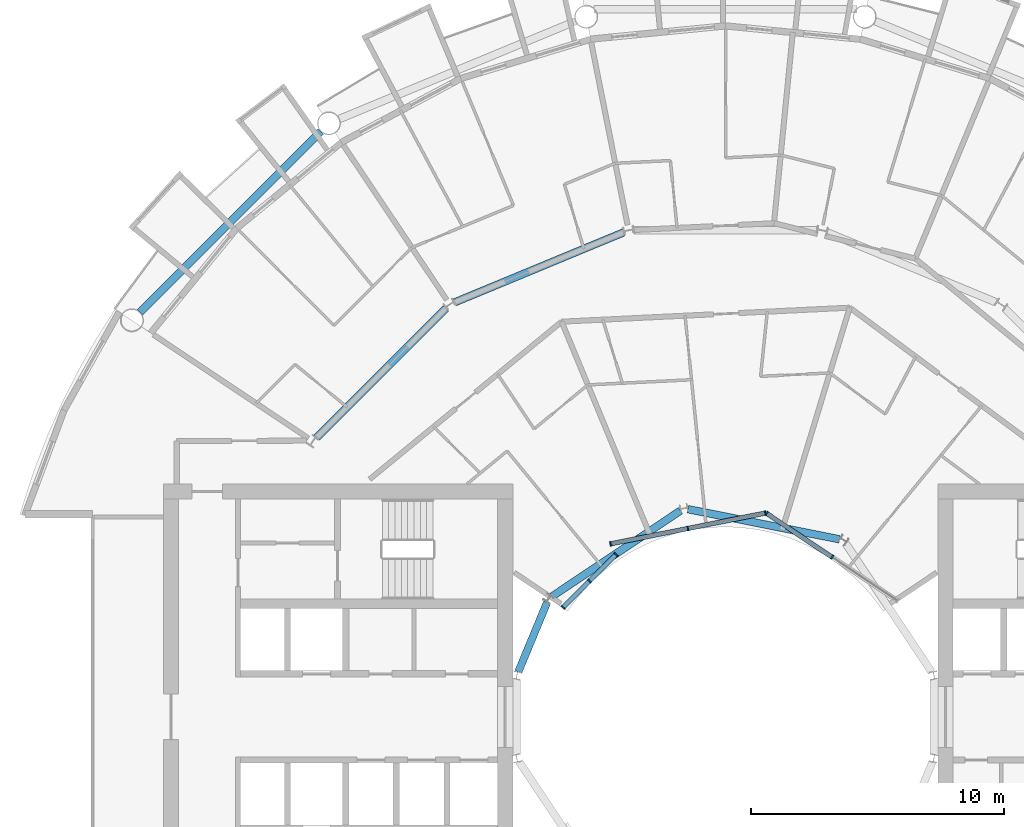
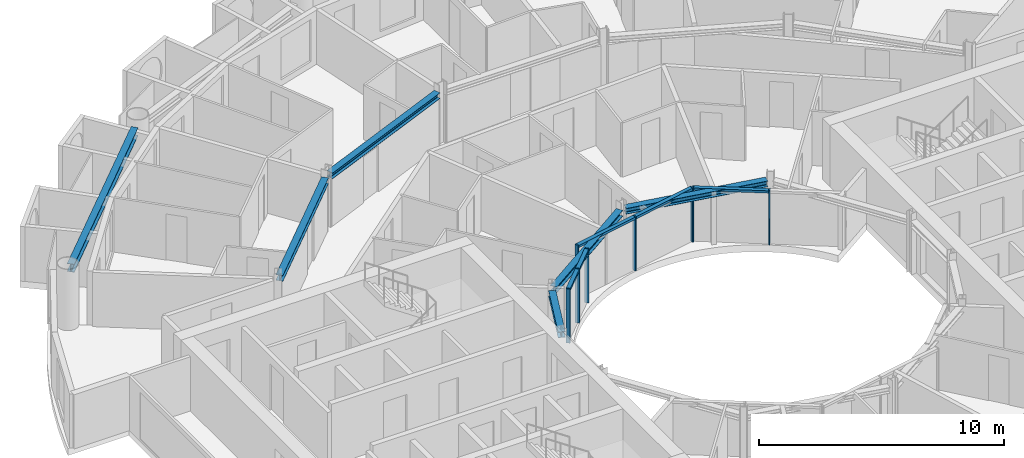
# One storey, part 8 of 27: 13 members, 6 beams, 3 elements without a shape of their own.
"""IFC4 building model written with IfcOpenShell, lengths in metres."""

import ifcopenshell
import ifcopenshell.guid

model = None  # the IFC model being written
_history = None  # IfcOwnerHistory: only IFC2X3 demands one
_inside = {}  # id of a spatial element -> (the spatial element, [elements in it])
_under = {}  # id of a project, library or spatial element -> (it, [spatial elements below it])
_declared = {}  # id of a project -> (the project, [libraries it declares])
_typed = {}  # id of a type object -> (the type object, [elements of that type])
_made_of = {}  # id of a material, layer set ... -> (it, [elements and type objects made of it])


def new_model(schema):
    """Start an empty IFC model of exactly this schema.

    Asked for "IFC4X3", IfcOpenShell would pick the latest addendum, in which some entities
    have other attributes; the version numbers below select the first issue.
    IFC2X3 requires an IfcOwnerHistory on every rooted entity: one is made here for all.
    """
    global model, _history
    if schema == "IFC4X3":
        model = ifcopenshell.file(schema_version=(4, 3, 0, 0))
    else:
        model = ifcopenshell.file(schema=schema)
    _inside.clear()
    _under.clear()
    _declared.clear()
    _typed.clear()
    _made_of.clear()
    _history = None
    if model.schema == "IFC2X3":
        org = make("IfcOrganization", Name="unknown")
        user = make(
            "IfcPersonAndOrganization",
            ThePerson=make("IfcPerson", FamilyName="unknown"),
            TheOrganization=org,
        )
        app = make(
            "IfcApplication",
            ApplicationDeveloper=org,
            Version="unknown",
            ApplicationFullName="unknown",
            ApplicationIdentifier="unknown",
        )
        _history = make(
            "IfcOwnerHistory",
            OwningUser=user,
            OwningApplication=app,
            ChangeAction="ADDED",
            CreationDate=0,
        )
    return model


def make(cls, **values):
    """One entity of the class cls with the attributes given. An attribute that is None is left unset."""
    return model.create_entity(
        cls, **{name: value for name, value in values.items() if value is not None}
    )


def rooted(cls, **values):
    """An entity with a GlobalId (a new one), such as an element, a storey or a relation."""
    return make(cls, GlobalId=ifcopenshell.guid.new(), OwnerHistory=_history, **values)


def si_unit(unit_type, name, prefix=None):
    """IfcSIUnit, for example si_unit("LENGTHUNIT", "METRE", prefix="MILLI")."""
    return make("IfcSIUnit", UnitType=unit_type, Prefix=prefix, Name=name)


def assignment(units):
    """IfcUnitAssignment: the units of a project."""
    return None if units is None else make("IfcUnitAssignment", Units=units)


def point(xyz):
    """IfcCartesianPoint."""
    return None if xyz is None else make("IfcCartesianPoint", Coordinates=xyz)


def direction(xyz):
    """IfcDirection."""
    return None if xyz is None else make("IfcDirection", DirectionRatios=xyz)


def frame(location, z_axis=None, x_axis=None):
    """IfcAxis2Placement3D, a coordinate frame: its origin and axes. An axis left out is left unset."""
    return make(
        "IfcAxis2Placement3D",
        Location=point(location),
        Axis=direction(z_axis),
        RefDirection=direction(x_axis),
    )


def frame_2d(location, x_axis=None):
    """IfcAxis2Placement2D, a coordinate frame in the plane: its origin and x axis."""
    return make(
        "IfcAxis2Placement2D", Location=point(location), RefDirection=direction(x_axis)
    )


def origin():
    """The frame at (0, 0, 0) with its axes left unset."""
    return frame((0.0, 0.0, 0.0))


def origin_2d():
    """The frame at (0, 0) in the plane with its x axis left unset."""
    return frame_2d((0.0, 0.0))


def place(relative_to, where):
    """IfcLocalPlacement: puts the frame where relative to a parent placement (None: the world)."""
    return make(
        "IfcLocalPlacement", PlacementRelTo=relative_to, RelativePlacement=where
    )


def context(
    kind, dimensions, precision=None, world=None, true_north=None, identifier=None
):
    """IfcGeometricRepresentationContext, for example the 3D "Model" context."""
    return make(
        "IfcGeometricRepresentationContext",
        ContextIdentifier=identifier,
        ContextType=kind,
        CoordinateSpaceDimension=dimensions,
        Precision=precision,
        WorldCoordinateSystem=world,
        TrueNorth=true_north,
    )


def subcontext(parent, identifier, kind, view, scale=None):
    """IfcGeometricRepresentationSubContext, for example "Body" below "Model"."""
    return make(
        "IfcGeometricRepresentationSubContext",
        ContextIdentifier=identifier,
        ContextType=kind,
        ParentContext=parent,
        TargetScale=scale,
        TargetView=view,
    )


def project(units=None, contexts=None):
    """IfcProject with its units and contexts."""
    return rooted(
        "IfcProject",
        Name="project",
        RepresentationContexts=contexts,
        UnitsInContext=assignment(units),
    )


def spatial(cls, under=None, at=None, **own):
    """A site, building, storey or space (cls), placed at a placement, below another one or the project."""
    s = rooted(cls, ObjectPlacement=at, **own)
    if under is not None:
        _under.setdefault(under.id(), (under, []))[1].append(s)
    return s


def profile(cls, at=None, kind="AREA", **sizes):
    """A parametric profile (cls). Its sizes go by their IFC names, for example OverallWidth=200.0."""
    return make(cls, ProfileType=kind, Position=at, **sizes)


def rectangle(**sizes):
    """IfcRectangleProfileDef."""
    return profile("IfcRectangleProfileDef", **sizes)


def i_section(**sizes):
    """IfcIShapeProfileDef."""
    return profile("IfcIShapeProfileDef", **sizes)


def extrude(swept, where, along, depth):
    """IfcExtrudedAreaSolid: the profile swept, set in the frame where, extruded along a direction by depth."""
    return make(
        "IfcExtrudedAreaSolid",
        SweptArea=swept,
        Position=where,
        ExtrudedDirection=direction(along),
        Depth=depth,
    )


def shape(context_of_items, identifier, shape_type, items):
    """IfcShapeRepresentation: the items that make up one representation, for example the "Body"."""
    return make(
        "IfcShapeRepresentation",
        ContextOfItems=context_of_items,
        RepresentationIdentifier=identifier,
        RepresentationType=shape_type,
        Items=items,
    )


def material(Name=None, Category=None):
    """IfcMaterial."""
    return make("IfcMaterial", Name=Name, Category=Category)


def layer(
    of_material, thickness, ventilated=None, Name=None, Category=None, Priority=None
):
    """IfcMaterialLayer: one layer of a wall or slab, of a material (None: an air gap)."""
    return make(
        "IfcMaterialLayer",
        Material=of_material,
        LayerThickness=thickness,
        IsVentilated=ventilated,
        Name=Name,
        Category=Category,
        Priority=Priority,
    )


def layer_set(layers, Name=None):
    """IfcMaterialLayerSet."""
    return make("IfcMaterialLayerSet", MaterialLayers=layers, LayerSetName=Name)


def material_profile(
    of_material, cross_section, Name=None, Category=None, Priority=None
):
    """IfcMaterialProfile: a cross section and its material."""
    return make(
        "IfcMaterialProfile",
        Name=Name,
        Material=of_material,
        Profile=cross_section,
        Priority=Priority,
        Category=Category,
    )


def profile_set(profiles, Name=None, composite=None):
    """IfcMaterialProfileSet."""
    return make(
        "IfcMaterialProfileSet",
        Name=Name,
        MaterialProfiles=profiles,
        CompositeProfile=composite,
    )


def made_of(thing, what):
    """Note that an element or type object is made of a material, layer set ...; save() writes the relation."""
    if what is not None:
        _made_of.setdefault(what.id(), (what, []))[1].append(thing)
    return thing


def type_object(cls, material=None, **own):
    """A type object (cls), such as IfcWallType, which elements share."""
    return made_of(rooted(cls, **own), material)


def element(
    cls,
    number,
    at=None,
    inside=None,
    cuts=None,
    type_object=None,
    material=None,
    context=None,
    identifier="Body",
    shape_type=None,
    held_by="IfcProductDefinitionShape",
    body=None,
    shapes=None,
    **own,
):
    """One element of the class cls, such as IfcWall. Its Tag is "e" and its number.

    at: its placement. inside: the storey or other place that contains it. cuts: it is an
    opening in that element (IfcRelVoidsElement). A single representation is given by context,
    identifier, shape_type and body (its items); several are given by shapes. held_by: the class
    of the entity that holds the representations. save() writes the other relations.
    """
    e = rooted(cls, Tag="e%d" % number, ObjectPlacement=at, **own)
    if body is not None:
        shapes = [shape(context, identifier, shape_type, body)]
    if shapes is not None:
        e.Representation = make(held_by, Representations=shapes)
    if inside is not None:
        _inside.setdefault(inside.id(), (inside, []))[1].append(e)
    if cuts is not None:
        rooted(
            "IfcRelVoidsElement", RelatingBuildingElement=cuts, RelatedOpeningElement=e
        )
    if type_object is not None:
        _typed.setdefault(type_object.id(), (type_object, []))[1].append(e)
    return made_of(e, material)


def aggregate(whole, parts):
    """IfcRelAggregates: a whole, such as a stair, and the parts it consists of."""
    return rooted("IfcRelAggregates", RelatingObject=whole, RelatedObjects=parts)


def save(model, path):
    """Write the relations noted so far, then the file.

    IfcRelAggregates (storeys below a building ...), IfcRelContainedInSpatialStructure (elements
    in a storey), IfcRelDefinesByType, IfcRelAssociatesMaterial and IfcRelDeclares: one each for
    every whole, place, type object, material and project.
    """
    for whole, parts in _under.values():
        aggregate(whole, parts)
    for where, things in _inside.values():
        rooted(
            "IfcRelContainedInSpatialStructure",
            RelatedElements=things,
            RelatingStructure=where,
        )
    for kind, things in _typed.values():
        rooted("IfcRelDefinesByType", RelatedObjects=things, RelatingType=kind)
    for what, things in _made_of.values():
        rooted("IfcRelAssociatesMaterial", RelatedObjects=things, RelatingMaterial=what)
    for by, libraries in _declared.values():
        rooted("IfcRelDeclares", RelatingContext=by, RelatedDefinitions=libraries)
    model.write(path)


model = new_model("IFC4")

# Units and contexts
model_context = context("Model", 3, precision=1e-05, world=origin(), true_north=direction((0.0, 1.0)))
body_context = subcontext(model_context, "Body", "Model", "MODEL_VIEW")
ifc_project = project(units=[si_unit("LENGTHUNIT", "METRE"), si_unit("AREAUNIT", "SQUARE_METRE"), si_unit("VOLUMEUNIT", "CUBIC_METRE"), si_unit("PLANEANGLEUNIT", "RADIAN"), si_unit("MASSUNIT", "GRAM", prefix="KILO")], contexts=[model_context])

# Site, building, storey
site_placement = place(None, origin())
site = spatial("IfcSite", under=ifc_project, at=site_placement, CompositionType="ELEMENT")
building_placement = place(site_placement, origin())
building = spatial("IfcBuilding", under=site, at=building_placement, Name="Maasbend Ring Residences", CompositionType="ELEMENT")
storey_placement = place(building_placement, frame((0.0, 0.0, 111.64990234375)))
storey = spatial("IfcBuildingStorey", under=building, at=storey_placement, Name="L31", CompositionType="ELEMENT", Elevation=111.64990234375)

# Curtain wall, members
ifc_material_1 = material(Name="Aluminium and clear glass", Category="aluminium")
ifc_layer = layer(ifc_material_1, 0.179931640625)
ifc_layer_set = layer_set([ifc_layer], Name="CW-W")
curtain_wall_type = type_object("IfcCurtainWallType", Name="CW-W", PredefinedType="NOTDEFINED", material=ifc_layer_set)
curtain_wall_1_placement = place(storey_placement, origin())
curtain_wall_1 = element("IfcCurtainWall", 1, at=curtain_wall_1_placement, inside=storey, type_object=curtain_wall_type, Name="Well curtain wall N1", PredefinedType="NOTDEFINED")
ifc_material_2 = material(Name="Aluminium 6063-T6", Category="aluminium")
ifc_material_profile_1 = material_profile(ifc_material_2, rectangle(XDim=0.179931640625, YDim=0.06005859375, at=origin_2d()), Name="AL 180x60")
ifc_profile_set_1 = profile_set([ifc_material_profile_1], Name="Aluminium 6063-T6")
member_type_1 = type_object("IfcMemberType", Name="CWM-W", PredefinedType="MULLION", material=ifc_profile_set_1)
member_1_placement = place(storey_placement, frame((4.216796875, 6.310791015625, 0.0), z_axis=(0.0, 0.0, 1.0), x_axis=(-0.55557023302, -0.831469612303, 0.0)))
member_1 = element("IfcMember", 2, at=member_1_placement, type_object=member_type_1, Name="Mullion well face", PredefinedType="MULLION", context=body_context, shape_type="SweptSolid", body=[
    extrude(rectangle(XDim=0.179931640625, YDim=0.06005859375, at=origin_2d()), origin(), (0.0, 0.0, 1.0), 2.7001953125),
])
member_2_placement = place(storey_placement, frame((1.627685546875, 8.040771484375, 0.0), z_axis=(0.0, 0.0, 1.0), x_axis=(-0.55557023302, -0.831469612303, 0.0)))
member_2 = element("IfcMember", 3, at=member_2_placement, type_object=member_type_1, Name="Mullion well face", PredefinedType="MULLION", context=body_context, shape_type="SweptSolid", body=[
    extrude(rectangle(XDim=0.179931640625, YDim=0.06005859375, at=origin_2d()), origin(), (0.0, 0.0, 1.0), 2.7001953125),
])

curtain_wall_2_placement = place(storey_placement, origin())
curtain_wall_2 = element("IfcCurtainWall", 4, at=curtain_wall_2_placement, inside=storey, type_object=curtain_wall_type, Name="Well curtain wall N2", PredefinedType="NOTDEFINED")
member_3_placement = place(storey_placement, frame((1.5732421875, 8.0517578125, 0.0), z_axis=(0.0, 0.0, 1.0), x_axis=(0.195090322016, -0.980785280403, 0.0)))
member_3 = element("IfcMember", 5, at=member_3_placement, type_object=member_type_1, Name="Mullion well face", PredefinedType="MULLION", context=body_context, shape_type="SweptSolid", body=[
    extrude(rectangle(XDim=0.179931640625, YDim=0.06005859375, at=origin_2d()), origin(), (0.0, 0.0, 1.0), 2.7001953125),
])
member_4_placement = place(storey_placement, frame((-1.480712890625, 7.444091796875, 0.0), z_axis=(0.0, 0.0, 1.0), x_axis=(0.195090322016, -0.980785280403, 0.0)))
member_4 = element("IfcMember", 6, at=member_4_placement, type_object=member_type_1, Name="Mullion well face", PredefinedType="MULLION", context=body_context, shape_type="SweptSolid", body=[
    extrude(rectangle(XDim=0.179931640625, YDim=0.06005859375, at=origin_2d()), origin(), (0.0, 0.0, 1.0), 2.7001953125),
])
member_5_placement = place(storey_placement, frame((-4.53466796875, 6.836669921875, 0.0), z_axis=(0.0, 0.0, 1.0), x_axis=(0.195090322016, -0.980785280403, 0.0)))
member_5 = element("IfcMember", 7, at=member_5_placement, type_object=member_type_1, Name="Mullion well face", PredefinedType="MULLION", context=body_context, shape_type="SweptSolid", body=[
    extrude(rectangle(XDim=0.179931640625, YDim=0.06005859375, at=origin_2d()), origin(), (0.0, 0.0, 1.0), 2.7001953125),
])

curtain_wall_3_placement = place(storey_placement, origin())
curtain_wall_3 = element("IfcCurtainWall", 8, at=curtain_wall_3_placement, inside=storey, type_object=curtain_wall_type, Name="Well curtain wall N3", PredefinedType="NOTDEFINED")
member_6_placement = place(storey_placement, frame((-4.320556640625, 6.413330078125, 0.0), z_axis=(0.0, 0.0, 1.0), x_axis=(0.707106781187, -0.707106781187, 0.0)))
member_6 = element("IfcMember", 9, at=member_6_placement, type_object=member_type_1, Name="Mullion well face", PredefinedType="MULLION", context=body_context, shape_type="SweptSolid", body=[
    extrude(rectangle(XDim=0.179931640625, YDim=0.06005859375, at=origin_2d()), origin(), (0.0, 0.0, 1.0), 2.7001953125),
])
member_7_placement = place(storey_placement, frame((-5.366943359375, 5.366943359375, 0.0), z_axis=(0.0, 0.0, 1.0), x_axis=(0.707106781187, -0.707106781187, 0.0)))
member_7 = element("IfcMember", 10, at=member_7_placement, type_object=member_type_1, Name="Mullion well face", PredefinedType="MULLION", context=body_context, shape_type="SweptSolid", body=[
    extrude(rectangle(XDim=0.179931640625, YDim=0.06005859375, at=origin_2d()), origin(), (0.0, 0.0, 1.0), 2.7001953125),
])
member_8_placement = place(storey_placement, frame((-6.413330078125, 4.320556640625, 0.0), z_axis=(0.0, 0.0, 1.0), x_axis=(0.707106781187, -0.707106781187, 0.0)))
member_8 = element("IfcMember", 11, at=member_8_placement, type_object=member_type_1, Name="Mullion well face", PredefinedType="MULLION", context=body_context, shape_type="SweptSolid", body=[
    extrude(rectangle(XDim=0.179931640625, YDim=0.06005859375, at=origin_2d()), origin(), (0.0, 0.0, 1.0), 2.7001953125),
])

# Member
ifc_material_3 = material(Name="Aluminium 6063-T6", Category="aluminium")
ifc_material_profile_2 = material_profile(ifc_material_3, rectangle(XDim=0.179931640625, YDim=0.1201171875, at=origin_2d()), Name="AL 180x120")
ifc_profile_set_2 = profile_set([ifc_material_profile_2], Name="Aluminium 6063-T6")
member_type_2 = type_object("IfcMemberType", Name="CWT-W", PredefinedType="USERDEFINED", material=ifc_profile_set_2)
member_9_placement = place(storey_placement, frame((4.19189453125, 6.32763671875, 2.64013671875), z_axis=(-0.831496422459, 0.555530106689, 0.0), x_axis=(-0.555530106689, -0.831496422459, 0.0)))
member_9 = element("IfcMember", 12, at=member_9_placement, type_object=member_type_2, Name="Transom well face", ObjectType="TRANSOM", PredefinedType="USERDEFINED", context=body_context, shape_type="SweptSolid", body=[
    extrude(rectangle(XDim=0.179931640625, YDim=0.1201171875, at=origin_2d()), origin(), (0.0, 0.0, 1.0), 3.053955078125),
])

aggregate(curtain_wall_1, [member_1, member_2, member_9])

member_10_placement = place(storey_placement, frame((1.5439453125, 8.0458984375, 2.64013671875), z_axis=(-0.980776956105, -0.195132166424, 0.0), x_axis=(0.195132166424, -0.980776956105, 0.0)))
member_10 = element("IfcMember", 13, at=member_10_placement, type_object=member_type_2, Name="Transom well face", ObjectType="TRANSOM", PredefinedType="USERDEFINED", context=body_context, shape_type="SweptSolid", body=[
    extrude(rectangle(XDim=0.179931640625, YDim=0.1201171875, at=origin_2d()), origin(), (0.0, 0.0, 1.0), 3.053955078125),
])

member_11_placement = place(storey_placement, frame((-1.51025390625, 7.438232421875, 2.64013671875), z_axis=(-0.980789210404, -0.19507056353, 0.0), x_axis=(0.19507056353, -0.980789210404, 0.0)))
member_11 = element("IfcMember", 14, at=member_11_placement, type_object=member_type_2, Name="Transom well face", ObjectType="TRANSOM", PredefinedType="USERDEFINED", context=body_context, shape_type="SweptSolid", body=[
    extrude(rectangle(XDim=0.179931640625, YDim=0.1201171875, at=origin_2d()), origin(), (0.0, 0.0, 1.0), 3.0537109375),
])

aggregate(curtain_wall_2, [member_3, member_4, member_5, member_10, member_11])

member_12_placement = place(storey_placement, frame((-4.341796875, 6.39208984375, 2.64013671875), z_axis=(-0.707106781187, -0.707106781187, 0.0), x_axis=(0.707106781187, -0.707106781187, 0.0)))
member_12 = element("IfcMember", 15, at=member_12_placement, type_object=member_type_2, Name="Transom well face", ObjectType="TRANSOM", PredefinedType="USERDEFINED", context=body_context, shape_type="SweptSolid", body=[
    extrude(rectangle(XDim=0.179931640625, YDim=0.1201171875, at=origin_2d()), origin(), (0.0, 0.0, 1.0), 1.419677734375),
])

member_13_placement = place(storey_placement, frame((-5.38818359375, 5.345703125, 2.64013671875), z_axis=(-0.707106781187, -0.707106781187, 0.0), x_axis=(0.707106781187, -0.707106781187, 0.0)))
member_13 = element("IfcMember", 16, at=member_13_placement, type_object=member_type_2, Name="Transom well face", ObjectType="TRANSOM", PredefinedType="USERDEFINED", context=body_context, shape_type="SweptSolid", body=[
    extrude(rectangle(XDim=0.179931640625, YDim=0.1201171875, at=origin_2d()), origin(), (0.0, 0.0, 1.0), 1.419677734375),
])

aggregate(curtain_wall_3, [member_6, member_7, member_8, member_12, member_13])

# Beams
ifc_material_4 = material(Name="Steel S355J2", Category="steel")
ifc_material_profile_3 = material_profile(ifc_material_4, i_section(OverallWidth=0.300048828125, OverallDepth=0.2900390625, WebThickness=0.008544921875, FlangeThickness=0.013916015625, FilletRadius=0.027099609375, at=origin_2d()), Name="HEA 300")
ifc_profile_set_3 = profile_set([ifc_material_profile_3], Name="Steel S355J2")
beam_type_1 = type_object("IfcBeamType", Name="Corridor ring beam HEA 300", PredefinedType="BEAM", material=ifc_profile_set_3)
for number, where, z_axis, x_axis, name in (
    (17, (-4.02734375, 19.13916015625, 2.55517578125), (-0.923877693919, -0.382687871089, 0.0), (0.382687871089, -0.923877693919, 0.0), "Corridor ring beam"),
    (18, (-11.044921875, 16.14111328125, 2.55517578125), (-0.707106781187, -0.707106781187, 0.0), (0.707106781187, -0.707106781187, 0.0), "Corridor ring beam"),
):
    element("IfcBeam", number, at=place(storey_placement, frame(where, z_axis=z_axis, x_axis=x_axis)), inside=storey, type_object=beam_type_1, Name=name, PredefinedType="BEAM", context=body_context, shape_type="SweptSolid", body=[
        extrude(i_section(OverallWidth=0.300048828125, OverallDepth=0.2900390625, WebThickness=0.008544921875, FlangeThickness=0.013916015625, FilletRadius=0.027099609375, at=origin_2d()), origin(), (0.0, 0.0, 1.0), 7.20703125),
    ])
ifc_material_5 = material(Name="Steel S355J2", Category="steel")
ifc_material_profile_4 = material_profile(ifc_material_5, i_section(OverallWidth=0.300048828125, OverallDepth=0.39990234375, WebThickness=0.013427734375, FlangeThickness=0.02392578125, FilletRadius=0.027099609375, at=origin_2d()), Name="HEB 400")
ifc_profile_set_4 = profile_set([ifc_material_profile_4], Name="Steel S355J2")
beam_type_2 = type_object("IfcBeamType", Name="Spandrel ring beam HEB 400", PredefinedType="SPANDREL", material=ifc_profile_set_4)
beam_1_placement = place(storey_placement, frame((-15.990234375, 23.124267578125, 2.5), z_axis=(-0.707106781187, -0.707106781187, 0.0), x_axis=(0.707106781187, -0.707106781187, 0.0)))
element("IfcBeam", 19, at=beam_1_placement, inside=storey, type_object=beam_type_2, Name="Spandrel ring beam", PredefinedType="SPANDREL", context=body_context, shape_type="SweptSolid", body=[
    extrude(i_section(OverallWidth=0.300048828125, OverallDepth=0.39990234375, WebThickness=0.013427734375, FlangeThickness=0.02392578125, FilletRadius=0.027099609375, at=origin_2d()), origin(), (0.0, 0.0, 1.0), 10.089111328125),
])
ifc_material_6 = material(Name="Steel S355J2", Category="steel")
ifc_material_profile_5 = material_profile(ifc_material_6, i_section(OverallWidth=0.300048828125, OverallDepth=0.2900390625, WebThickness=0.008544921875, FlangeThickness=0.013916015625, FilletRadius=0.027099609375, at=origin_2d()), Name="HEA 300")
ifc_profile_set_5 = profile_set([ifc_material_profile_5], Name="Steel S355J2")
beam_type_3 = type_object("IfcBeamType", Name="Well edge beam HEA 300", PredefinedType="BEAM", material=ifc_profile_set_5)
beam_2_placement = place(storey_placement, frame((4.507568359375, 7.01611328125, 2.55517578125), z_axis=(-0.980792381321, 0.195054619896, 0.0), x_axis=(-0.195054619896, -0.980792381321, 0.0)))
element("IfcBeam", 20, at=beam_2_placement, inside=storey, type_object=beam_type_3, Name="Well edge beam", PredefinedType="BEAM", context=body_context, shape_type="SweptSolid", body=[
    extrude(i_section(OverallWidth=0.300048828125, OverallDepth=0.2900390625, WebThickness=0.008544921875, FlangeThickness=0.013916015625, FilletRadius=0.027099609375, at=origin_2d()), origin(), (0.0, 0.0, 1.0), 6.104248046875),
])
beam_3_placement = place(storey_placement, frame((-1.773681640625, 8.1484375, 2.55517578125), z_axis=(-0.831477628137, -0.555558236289, 0.0), x_axis=(0.555558236289, -0.831477628137, 0.0)))
element("IfcBeam", 21, at=beam_3_placement, inside=storey, type_object=beam_type_3, Name="Well edge beam", PredefinedType="BEAM", context=body_context, shape_type="SweptSolid", body=[
    extrude(i_section(OverallWidth=0.300048828125, OverallDepth=0.2900390625, WebThickness=0.008544921875, FlangeThickness=0.013916015625, FilletRadius=0.027099609375, at=origin_2d()), origin(), (0.0, 0.0, 1.0), 6.1044921875),
])
beam_4_placement = place(storey_placement, frame((-7.042724609375, 4.525390625, 2.55517578125), z_axis=(-0.382765370874, -0.923845588212, 0.0), x_axis=(0.923845588212, -0.382765370874, 0.0)))
element("IfcBeam", 22, at=beam_4_placement, inside=storey, type_object=beam_type_3, Name="Well edge beam", PredefinedType="BEAM", context=body_context, shape_type="SweptSolid", body=[
    extrude(i_section(OverallWidth=0.300048828125, OverallDepth=0.2900390625, WebThickness=0.008544921875, FlangeThickness=0.013916015625, FilletRadius=0.027099609375, at=origin_2d()), origin(), (0.0, 0.0, 1.0), 2.9716796875),
])

save(model, "model.ifc")
